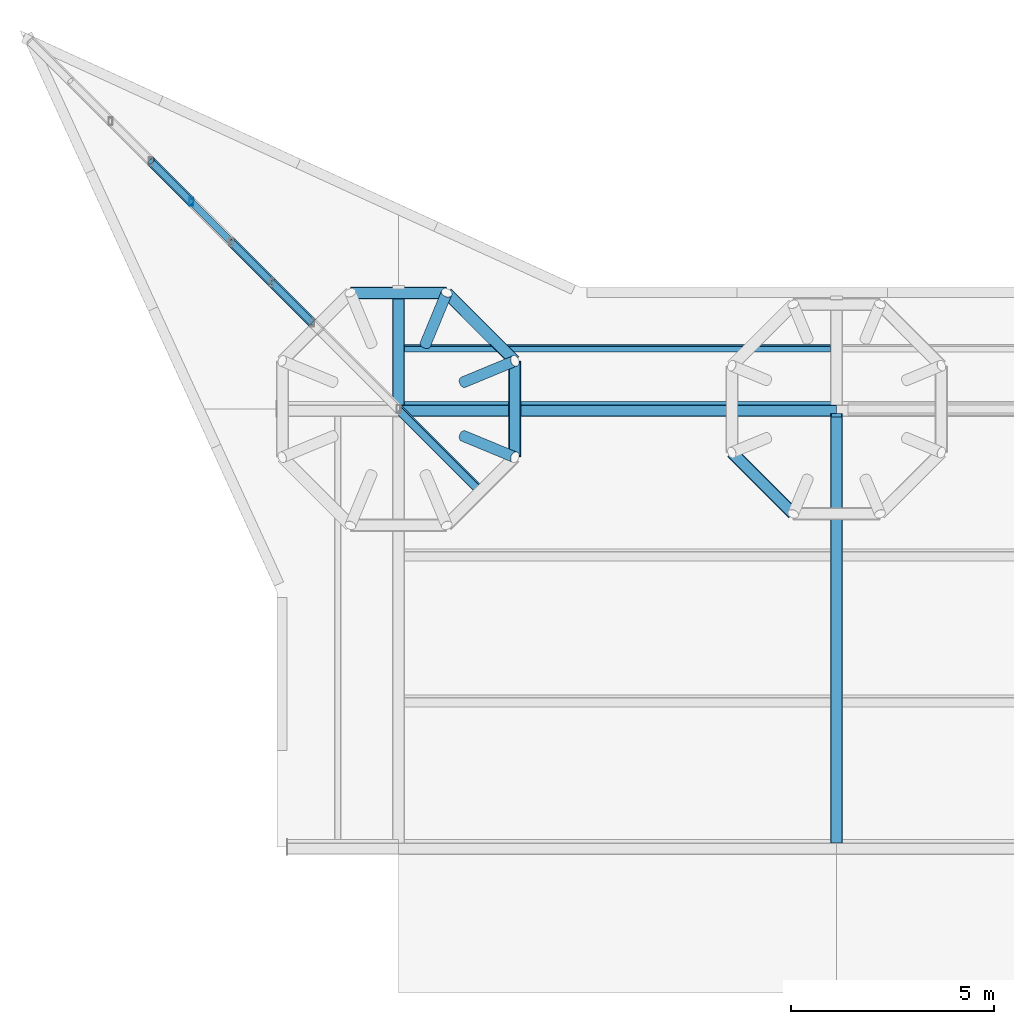
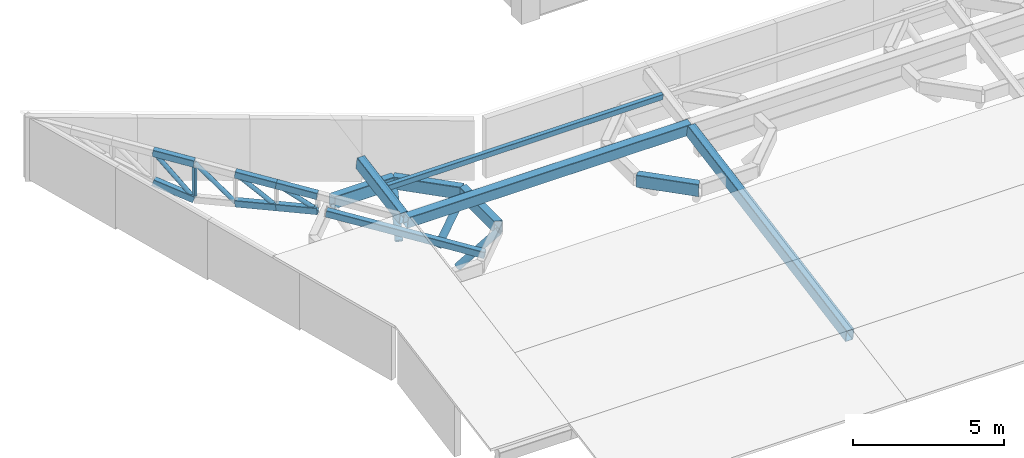
# One storey, part 2 of 32: 15 members, 8 beams.
"""IFC4 building model written with IfcOpenShell, lengths in metres."""

from ifc_helpers import new_model, si_unit, direction, frame, origin, origin_2d, place, context, subcontext, project, spatial, hollow_rectangle, hollow_circle, extrude, clip, halfspace, material, material_profile, profile_set, type_object, element, save


model = new_model("IFC4")

# Units and contexts
model_context = context("Model", 3, precision=1e-05, world=origin(), true_north=direction((0.0, 1.0)))
body_context = subcontext(model_context, "Body", "Model", "MODEL_VIEW")
ifc_project = project(units=[si_unit("LENGTHUNIT", "METRE"), si_unit("AREAUNIT", "SQUARE_METRE"), si_unit("VOLUMEUNIT", "CUBIC_METRE"), si_unit("PLANEANGLEUNIT", "RADIAN"), si_unit("MASSUNIT", "GRAM", prefix="KILO")], contexts=[model_context])

# Site, building, storey
site_placement = place(None, origin())
site = spatial("IfcSite", under=ifc_project, at=site_placement, CompositionType="ELEMENT")
building_placement = place(site_placement, origin())
building = spatial("IfcBuilding", under=site, at=building_placement, Name="Magnolia Steps Interchange", CompositionType="ELEMENT")
storey_placement = place(building_placement, frame((0.0, 0.0, 16.5)))
storey = spatial("IfcBuildingStorey", under=building, at=storey_placement, Name="L04", CompositionType="ELEMENT", Elevation=16.5)

# Beams
ifc_material_1 = material(Name="Steel Q355B", Category="steel")
ifc_material_profile_1 = material_profile(ifc_material_1, hollow_rectangle(XDim=0.300048828125, YDim=0.5, WallThickness=0.01611328125, InnerFilletRadius=0.01611328125, OuterFilletRadius=0.031982421875, at=origin_2d()), Name="RHS500x300x16")
ifc_profile_set_1 = profile_set([ifc_material_profile_1], Name="Steel Q355B")
beam_type_1 = type_object("IfcBeamType", Name="Ring beam RHS500x300x16", PredefinedType="BEAM", material=ifc_profile_set_1)
beam_1_placement = place(storey_placement, frame((56.06396484375, 86.786376953125, 1.55126953125), z_axis=(-0.707106781187, 0.707106781187, 0.0), x_axis=(-0.707106781187, -0.707106781187, 0.0)))
element("IfcBeam", 1, at=beam_1_placement, inside=storey, type_object=beam_type_1, Name="Ring beam TH01E", PredefinedType="BEAM", context=body_context, shape_type="Clipping", body=[
    clip(clip(extrude(hollow_rectangle(XDim=0.300048828125, YDim=0.5, WallThickness=0.01611328125, InnerFilletRadius=0.01611328125, OuterFilletRadius=0.031982421875, at=origin_2d()), origin(), (0.0, 0.0, 1.0), 2.37255859375), halfspace(frame((0.0, 0.0, 0.0), z_axis=(0.382683433, 0.0, -0.923879532), x_axis=(0.923879532, 0.0, 0.382683433)), False)), halfspace(frame((0.0, 0.0, 2.372674707), z_axis=(0.382683433, 0.0, 0.923879532), x_axis=(0.923879532, 0.0, -0.382683433)), False)),
])
for number, where, z_axis, x_axis, name in (
    (2, (54.38623046875, 88.464111328125, 1.55126953125), (-1.0, 0.0, 0.0), (0.0, -1.0, 0.0), "Ring beam TH01E"),
    (3, (56.06396484375, 84.413818359375, 1.55126953125), (0.0, 1.0, 0.0), (-1.0, 0.0, 0.0), "Ring beam TH01E"),
):
    element("IfcBeam", number, at=place(storey_placement, frame(where, z_axis=z_axis, x_axis=x_axis)), inside=storey, type_object=beam_type_1, Name=name, PredefinedType="BEAM", context=body_context, shape_type="Clipping", body=[
        clip(clip(extrude(hollow_rectangle(XDim=0.300048828125, YDim=0.5, WallThickness=0.01611328125, InnerFilletRadius=0.01611328125, OuterFilletRadius=0.031982421875, at=origin_2d()), origin(), (0.0, 0.0, 1.0), 2.37255859375), halfspace(frame((0.0, 0.0, 0.0), z_axis=(0.382683432, 0.0, -0.923879533), x_axis=(0.923879533, 0.0, 0.382683432)), False)), halfspace(frame((0.0, 0.0, 2.372558594), z_axis=(0.382683432, 0.0, 0.923879533), x_axis=(0.923879533, 0.0, -0.382683432)), False)),
    ])
beam_2_placement = place(storey_placement, frame((61.419921875, 84.53125, 1.55126953125), z_axis=(0.707163891131, -0.707049666629, 0.0), x_axis=(0.707049666629, 0.707163891131, 0.0)))
element("IfcBeam", 4, at=beam_2_placement, inside=storey, type_object=beam_type_1, Name="Ring beam TH02E", PredefinedType="BEAM", context=body_context, shape_type="Clipping", body=[
    clip(clip(extrude(hollow_rectangle(XDim=0.300048828125, YDim=0.5, WallThickness=0.01611328125, InnerFilletRadius=0.01611328125, OuterFilletRadius=0.031982421875, at=origin_2d()), origin(), (0.0, 0.0, 1.0), 2.137451171875), halfspace(frame((0.0, 0.0, 0.0), z_axis=(0.382758052, 0.0, -0.92384862), x_axis=(0.923848621, 0.0, 0.382758052)), False)), halfspace(frame((0.0, 0.0, 2.137375265), z_axis=(0.382608811, 0.0, 0.923910438), x_axis=(0.923910438, 0.0, -0.382608811)), False)),
])
ifc_material_2 = material(Name="Steel Q355B", Category="steel")
ifc_material_profile_2 = material_profile(ifc_material_2, hollow_rectangle(XDim=0.300048828125, YDim=0.5, WallThickness=0.01611328125, InnerFilletRadius=0.01611328125, OuterFilletRadius=0.031982421875, at=origin_2d()), Name="RHS500x300x16")
ifc_profile_set_2 = profile_set([ifc_material_profile_2], Name="Steel Q355B")
beam_type_2 = type_object("IfcBeamType", Name="Roof beam RHS500x300x16", PredefinedType="BEAM", material=ifc_profile_set_2)
beam_3_placement = place(storey_placement, frame((53.199951171875, 85.60009765625, 2.095458984375), z_axis=(1.0, 0.0, 0.0), x_axis=(0.0, 0.98367737698, 0.17994115154)))
element("IfcBeam", 5, at=beam_3_placement, inside=storey, type_object=beam_type_2, Name="Roof beam", PredefinedType="BEAM", context=body_context, shape_type="SweptSolid", body=[
    extrude(hollow_rectangle(XDim=0.300048828125, YDim=0.5, WallThickness=0.01611328125, InnerFilletRadius=0.01611328125, OuterFilletRadius=0.031982421875, at=origin_2d()), origin(), (0.0, 0.0, 1.0), 10.800048828125),
])
beam_4_placement = place(storey_placement, frame((53.199951171875, 85.75, 2.122802734375), z_axis=(0.0, 0.983669766621, 0.179982749829), x_axis=(-1.0, 0.0, 0.0)))
element("IfcBeam", 6, at=beam_4_placement, inside=storey, type_object=beam_type_2, Name="Roof beam", PredefinedType="BEAM", context=body_context, shape_type="SweptSolid", body=[
    extrude(hollow_rectangle(XDim=0.300048828125, YDim=0.5, WallThickness=0.01611328125, InnerFilletRadius=0.01611328125, OuterFilletRadius=0.031982421875, at=origin_2d()), origin(), (0.0, 0.0, 1.0), 2.8974609375),
])
beam_5_placement = place(storey_placement, frame((64.0, 74.949951171875, 0.147216796875), z_axis=(0.0, 0.98367464182, 0.179956103093), x_axis=(-1.0, 0.0, 0.0)))
element("IfcBeam", 7, at=beam_5_placement, inside=storey, type_object=beam_type_2, Name="Roof beam", PredefinedType="BEAM", context=body_context, shape_type="SweptSolid", body=[
    extrude(hollow_rectangle(XDim=0.300048828125, YDim=0.5, WallThickness=0.01611328125, InnerFilletRadius=0.01611328125, OuterFilletRadius=0.031982421875, at=origin_2d()), origin(), (0.0, 0.0, 1.0), 10.67431640625),
])
ifc_material_3 = material(Name="Steel Q355B", Category="steel")
ifc_material_profile_3 = material_profile(ifc_material_3, hollow_rectangle(XDim=0.14990234375, YDim=0.25, WallThickness=0.008056640625, InnerFilletRadius=0.008056640625, OuterFilletRadius=0.01611328125, at=origin_2d()), Name="RHS250x150x8")
ifc_profile_set_3 = profile_set([ifc_material_profile_3], Name="Steel Q355B")
beam_type_3 = type_object("IfcBeamType", Name="Roof edge joist RHS250x150x8", PredefinedType="BEAM", material=ifc_profile_set_3)
beam_6_placement = place(storey_placement, frame((53.35009765625, 87.10009765625, 2.496826171875), z_axis=(1.0, 0.0, 0.0), x_axis=(0.0, 0.98367737698, 0.17994115154)))
element("IfcBeam", 8, at=beam_6_placement, inside=storey, type_object=beam_type_3, Name="Roof edge joist", PredefinedType="BEAM", context=body_context, shape_type="SweptSolid", body=[
    extrude(hollow_rectangle(XDim=0.14990234375, YDim=0.25, WallThickness=0.008056640625, InnerFilletRadius=0.008056640625, OuterFilletRadius=0.01611328125, at=origin_2d()), origin(), (0.0, 0.0, 1.0), 10.5),
])

# Members
ifc_material_4 = material(Name="Steel Q355B", Category="steel")
ifc_material_profile_4 = material_profile(ifc_material_4, hollow_rectangle(XDim=0.199951171875, YDim=0.300048828125, WallThickness=0.011962890625, InnerFilletRadius=0.011962890625, OuterFilletRadius=0.02392578125, at=origin_2d()), Name="RHS300x200x12")
ifc_profile_set_4 = profile_set([ifc_material_profile_4], Name="Steel Q355B")
member_type_1 = type_object("IfcMemberType", Name="Roof truss RHS300x200x12", PredefinedType="USERDEFINED", material=ifc_profile_set_4)
for number, where, z_axis, x_axis, name in (
    (9, (51.06884765625, 87.731201171875, 2.5869140625), (-0.70125708406, 0.70125708406, 0.1283627832), (-0.71290847849, -0.689810731467, -0.12618500723), "Spike truss SP-H-NW top chord"),
    (10, (50.0751953125, 88.724853515625, 2.768798828125), (-0.701272583716, 0.701272583716, 0.128193317515), (-0.712893231565, -0.689825978392, -0.126187796256), "Spike truss SP-H-NW top chord"),
):
    element("IfcMember", number, at=place(storey_placement, frame(where, z_axis=z_axis, x_axis=x_axis)), inside=storey, type_object=member_type_1, Name=name, ObjectType="Roof truss", PredefinedType="USERDEFINED", context=body_context, shape_type="SweptSolid", body=[
        extrude(hollow_rectangle(XDim=0.199951171875, YDim=0.300048828125, WallThickness=0.011962890625, InnerFilletRadius=0.011962890625, OuterFilletRadius=0.02392578125, at=origin_2d()), origin(), (0.0, 0.0, 1.0), 1.4169921875),
    ])
member_1_placement = place(storey_placement, frame((48.087890625, 90.7119140625, 3.132080078125), z_axis=(-0.701169499182, 0.70134181904, 0.128378293657), x_axis=(-0.712994622167, -0.68972173895, -0.126184751775)))
element("IfcMember", 11, at=member_1_placement, inside=storey, type_object=member_type_1, Name="Spike truss SP-H-NW top chord", ObjectType="Roof truss", PredefinedType="USERDEFINED", context=body_context, shape_type="SweptSolid", body=[
    extrude(hollow_rectangle(XDim=0.199951171875, YDim=0.300048828125, WallThickness=0.011962890625, InnerFilletRadius=0.011962890625, OuterFilletRadius=0.02392578125, at=origin_2d()), origin(), (0.0, 0.0, 1.0), 1.416748046875),
])
member_2_placement = place(storey_placement, frame((55.119140625, 83.680908203125, 1.24609375), z_axis=(-0.701267827769, 0.701267827769, 0.128245340935), x_axis=(-0.712897912142, -0.689821297815, -0.126186940465)))
element("IfcMember", 12, at=member_2_placement, inside=storey, type_object=member_type_1, Name="Spike truss SP-H-NW bottom chord", ObjectType="Roof truss", PredefinedType="USERDEFINED", context=body_context, shape_type="SweptSolid", body=[
    extrude(hollow_rectangle(XDim=0.199951171875, YDim=0.300048828125, WallThickness=0.011962890625, InnerFilletRadius=0.011962890625, OuterFilletRadius=0.02392578125, at=origin_2d()), origin(), (0.0, 0.0, 1.0), 5.47314453125),
])
for number, where, z_axis, x_axis, name in (
    (13, (51.06884765625, 87.731201171875, 1.98681640625), (-0.705354227493, 0.705354227493, -0.070362117042), (-0.694672358524, -0.707584479806, -0.129439245363), "Spike truss SP-H-NW bottom chord"),
    (14, (50.0751953125, 88.724853515625, 1.8876953125), (-0.705345615859, 0.705345615859, -0.070534561586), (-0.694656535913, -0.707600302417, -0.129437665046), "Spike truss SP-H-NW bottom chord"),
):
    element("IfcMember", number, at=place(storey_placement, frame(where, z_axis=z_axis, x_axis=x_axis)), inside=storey, type_object=member_type_1, Name=name, ObjectType="Roof truss", PredefinedType="USERDEFINED", context=body_context, shape_type="SweptSolid", body=[
        extrude(hollow_rectangle(XDim=0.199951171875, YDim=0.300048828125, WallThickness=0.011962890625, InnerFilletRadius=0.011962890625, OuterFilletRadius=0.02392578125, at=origin_2d()), origin(), (0.0, 0.0, 1.0), 1.40869140625),
    ])
member_3_placement = place(storey_placement, frame((48.087890625, 90.7119140625, 1.689208984375), z_axis=(-0.674752231367, 0.6749180589, 0.298655386752), x_axis=(-0.728544306947, -0.673814510536, -0.123276916761)))
element("IfcMember", 15, at=member_3_placement, inside=storey, type_object=member_type_1, Name="Spike truss SP-H-NW bottom chord", ObjectType="Roof truss", PredefinedType="USERDEFINED", context=body_context, shape_type="SweptSolid", body=[
    extrude(hollow_rectangle(XDim=0.199951171875, YDim=0.300048828125, WallThickness=0.011962890625, InnerFilletRadius=0.011962890625, OuterFilletRadius=0.02392578125, at=origin_2d()), origin(), (0.0, 0.0, 1.0), 1.47216796875),
])
ifc_material_5 = material(Name="Steel Q355B", Category="steel")
ifc_material_profile_5 = material_profile(ifc_material_5, hollow_circle(Radius=0.083984375, WallThickness=0.008056640625, at=origin_2d()), Name="CHS168x8")
ifc_profile_set_5 = profile_set([ifc_material_profile_5], Name="Steel Q355B")
member_type_2 = type_object("IfcMemberType", Name="Roof truss diagonal CHS168x8", PredefinedType="USERDEFINED", material=ifc_profile_set_5)
member_4_placement = place(storey_placement, frame((51.06884765625, 87.731201171875, 1.98681640625), z_axis=(-0.617880577408, 0.617880577408, 0.486258351213), x_axis=(-0.747492238714, -0.653428759214, -0.119524933364)))
element("IfcMember", 16, at=member_4_placement, inside=storey, type_object=member_type_2, Name="Spike truss SP-H-NW diagonal", ObjectType="Roof truss diagonal", PredefinedType="USERDEFINED", context=body_context, shape_type="SweptSolid", body=[
    extrude(hollow_circle(Radius=0.083984375, WallThickness=0.008056640625, at=origin_2d()), origin(), (0.0, 0.0, 1.0), 1.608154296875),
])
member_5_placement = place(storey_placement, frame((50.0751953125, 88.724853515625, 1.8876953125), z_axis=(-0.563982405053, 0.563982405053, 0.603197889238), x_axis=(-0.761848210331, -0.6371818668, -0.116561456047)))
element("IfcMember", 17, at=member_5_placement, inside=storey, type_object=member_type_2, Name="Spike truss SP-H-NW diagonal", ObjectType="Roof truss diagonal", PredefinedType="USERDEFINED", context=body_context, shape_type="SweptSolid", body=[
    extrude(hollow_circle(Radius=0.083984375, WallThickness=0.008056640625, at=origin_2d()), origin(), (0.0, 0.0, 1.0), 1.761962890625),
])
member_6_placement = place(storey_placement, frame((49.08154296875, 89.718505859375, 1.788330078125), z_axis=(-0.511088480742, 0.510962906177, 0.691162407372), x_axis=(-0.775101744641, -0.621526369262, -0.113676109041)))
element("IfcMember", 18, at=member_6_placement, inside=storey, type_object=member_type_2, Name="Spike truss SP-H-NW diagonal", ObjectType="Roof truss diagonal", PredefinedType="USERDEFINED", context=body_context, shape_type="SweptSolid", body=[
    extrude(hollow_circle(Radius=0.083984375, WallThickness=0.008056640625, at=origin_2d()), origin(), (0.0, 0.0, 1.0), 1.944091796875),
])
member_7_placement = place(storey_placement, frame((48.087890625, 90.7119140625, 1.689208984375), z_axis=(-0.462473903946, 0.462587561824, 0.756393175415), x_axis=(-0.787617731369, -0.606103672747, -0.110890248064)))
element("IfcMember", 19, at=member_7_placement, inside=storey, type_object=member_type_2, Name="Spike truss SP-H-NW diagonal", ObjectType="Roof truss diagonal", PredefinedType="USERDEFINED", context=body_context, shape_type="SweptSolid", body=[
    extrude(hollow_circle(Radius=0.083984375, WallThickness=0.008056640625, at=origin_2d()), origin(), (0.0, 0.0, 1.0), 2.14794921875),
])
ifc_material_6 = material(Name="Steel Q355B", Category="steel")
ifc_material_profile_6 = material_profile(ifc_material_6, hollow_rectangle(XDim=0.10009765625, YDim=0.199951171875, WallThickness=0.008056640625, InnerFilletRadius=0.008056640625, OuterFilletRadius=0.01611328125, at=origin_2d()), Name="RHS200x100x8")
ifc_profile_set_6 = profile_set([ifc_material_profile_6], Name="Steel Q355B")
member_type_3 = type_object("IfcMemberType", Name="Roof truss post RHS200x100x8", PredefinedType="USERDEFINED", material=ifc_profile_set_6)
member_8_placement = place(storey_placement, frame((48.087890625, 90.7119140625, 1.839111328125), z_axis=(0.0, 0.0, 1.0), x_axis=(1.0, 0.0, 0.0)))
element("IfcMember", 20, at=member_8_placement, inside=storey, type_object=member_type_3, Name="Spike truss SP-H-NW post", ObjectType="Roof truss post", PredefinedType="USERDEFINED", context=body_context, shape_type="SweptSolid", body=[
    extrude(hollow_rectangle(XDim=0.10009765625, YDim=0.199951171875, WallThickness=0.008056640625, InnerFilletRadius=0.008056640625, OuterFilletRadius=0.01611328125, at=origin_2d()), origin(), (0.0, 0.0, 1.0), 1.14306640625),
])
ifc_material_7 = material(Name="Steel Q355B", Category="steel")
ifc_material_profile_7 = material_profile(ifc_material_7, hollow_circle(Radius=0.136474609375, WallThickness=0.013916015625, at=origin_2d()), Name="CHS273x14")
ifc_profile_set_7 = profile_set([ifc_material_profile_7], Name="Steel Q355B")
member_type_4 = type_object("IfcMemberType", Name="Tree rib CHS273x14", PredefinedType="USERDEFINED", material=ifc_profile_set_7)
for number, where, z_axis, x_axis, name in (
    (21, (54.79638671875, 86.26123046875, 0.076171875), (0.664571439163, 0.275326110485, 0.694651232731), (-0.382744666971, 0.923854165929, 0.0), "Tree rib TH01E"),
    (22, (53.861328125, 87.1962890625, 0.076171875), (0.275184396668, 0.66466631251, 0.694616614287), (-0.923943118082, 0.382529887132, 0.0), "Tree rib TH01E"),
):
    element("IfcMember", number, at=place(storey_placement, frame(where, z_axis=z_axis, x_axis=x_axis)), inside=storey, type_object=member_type_4, Name=name, ObjectType="TREE RIB", PredefinedType="USERDEFINED", context=body_context, shape_type="SweptSolid", body=[
        extrude(hollow_circle(Radius=0.136474609375, WallThickness=0.013916015625, at=origin_2d()), origin(), (0.0, 0.0, 1.0), 1.907470703125),
    ])
member_9_placement = place(storey_placement, frame((54.79638671875, 84.938720703125, 0.076171875), z_axis=(0.664594855451, -0.275207808016, 0.694675708885), x_axis=(0.382592780202, 0.923917076656, 0.0)))
element("IfcMember", 23, at=member_9_placement, inside=storey, type_object=member_type_4, Name="Tree rib TH01E", ObjectType="TREE RIB", PredefinedType="USERDEFINED", context=body_context, shape_type="SweptSolid", body=[
    extrude(hollow_circle(Radius=0.136474609375, WallThickness=0.013916015625, at=origin_2d()), origin(), (0.0, 0.0, 1.0), 1.9072265625),
])

save(model, "model.ifc")
